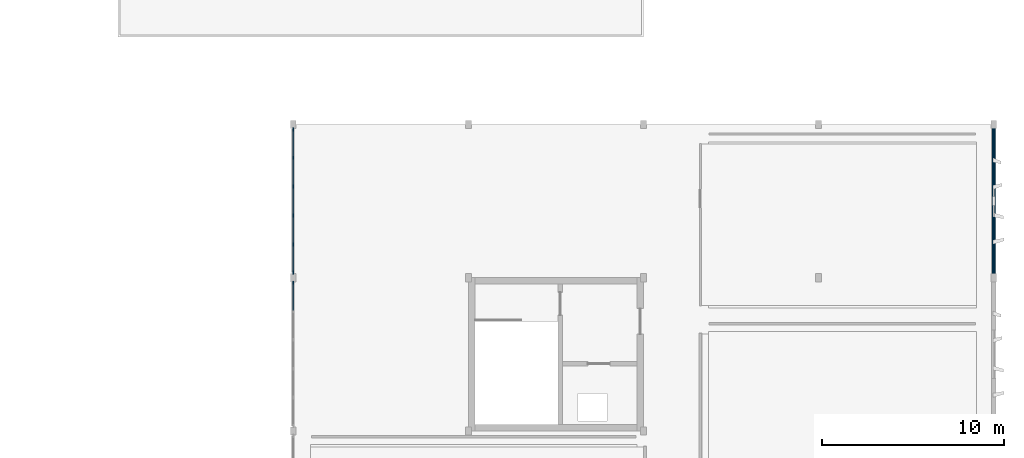
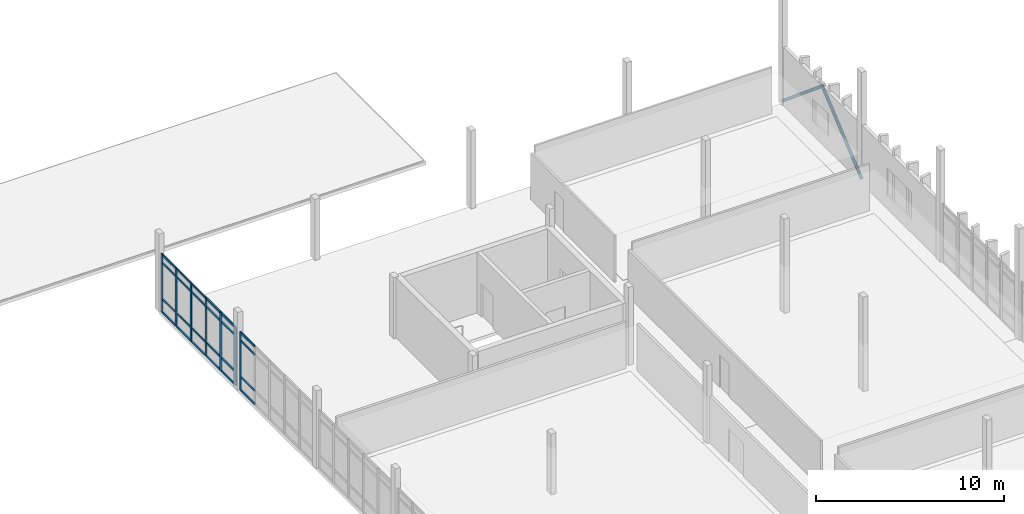
# One storey, part 28 of 61: 33 members, 2 elements without a shape of their own.
"""IFC4 building model written with IfcOpenShell, lengths in metres."""

from ifc_helpers import new_model, si_unit, direction, frame, origin, origin_2d, place, context, subcontext, project, spatial, rectangle, hollow_circle, extrude, material, layer, layer_set, material_profile, profile_set, type_object, element, aggregate, save


model = new_model("IFC4")

# Units and contexts
model_context = context("Model", 3, precision=1e-05, world=origin(), true_north=direction((0.0, 1.0)))
body_context = subcontext(model_context, "Body", "Model", "MODEL_VIEW")
ifc_project = project(units=[si_unit("LENGTHUNIT", "METRE"), si_unit("AREAUNIT", "SQUARE_METRE"), si_unit("VOLUMEUNIT", "CUBIC_METRE"), si_unit("PLANEANGLEUNIT", "RADIAN"), si_unit("MASSUNIT", "GRAM", prefix="KILO")], contexts=[model_context])

# Site, building, storey
site_placement = place(None, origin())
site = spatial("IfcSite", under=ifc_project, at=site_placement, CompositionType="ELEMENT")
building_placement = place(site_placement, origin())
building = spatial("IfcBuilding", under=site, at=building_placement, Name="Kolvemor Railside Polytechnic", CompositionType="ELEMENT")
storey_placement = place(building_placement, frame((0.0, 0.0, 10.199951171875)))
storey = spatial("IfcBuildingStorey", under=building, at=storey_placement, Name="L02", CompositionType="ELEMENT", Elevation=10.199951171875)

# Curtain wall, member
ifc_material_1 = material(Name="Anodised marine aluminium and laminated low-E glass", Category="aluminium")
ifc_layer = layer(ifc_material_1, 0.179931640625, Name="CW-UNIT-STD")
ifc_layer_set = layer_set([ifc_layer], Name="Anodised marine aluminium and laminated low-E glass")
curtain_wall_type = type_object("IfcCurtainWallType", Name="CW-UNIT-STD", PredefinedType="USERDEFINED", material=ifc_layer_set)
curtain_wall_1_placement = place(storey_placement, origin())
curtain_wall_1 = element("IfcCurtainWall", 1, at=curtain_wall_1_placement, inside=storey, type_object=curtain_wall_type, Name="Curtain Wall L02-081", ObjectType="UNITISED CURTAIN WALL", PredefinedType="USERDEFINED")
ifc_material_2 = material(Name="Anodised marine aluminium 6063-T6", Category="aluminium")
ifc_material_profile_1 = material_profile(ifc_material_2, rectangle(XDim=0.074951171875, YDim=0.179931640625, at=origin_2d()), Name="CW-MUL-75x180")
ifc_profile_set_1 = profile_set([ifc_material_profile_1], Name="Anodised marine aluminium 6063-T6")
member_type_1 = type_object("IfcMemberType", Name="CWM-75x180", PredefinedType="MULLION", material=ifc_profile_set_1)
member_1_placement = place(storey_placement, frame((144.0, 68.12255859375, 0.0), z_axis=(0.0, 0.0, 1.0), x_axis=(1.0, 0.0, 0.0)))
member_1 = element("IfcMember", 2, at=member_1_placement, type_object=member_type_1, Name="CW-STD mullion 1", PredefinedType="MULLION", context=body_context, shape_type="SweptSolid", body=[
    extrude(rectangle(XDim=0.074951171875, YDim=0.179931640625, at=origin_2d()), origin(), (0.0, 0.0, 1.0), 3.800048828125),
])

# Curtain wall, members
curtain_wall_2_placement = place(storey_placement, origin())
curtain_wall_2 = element("IfcCurtainWall", 3, at=curtain_wall_2_placement, inside=storey, type_object=curtain_wall_type, Name="Curtain Wall L02-088", ObjectType="UNITISED CURTAIN WALL", PredefinedType="USERDEFINED")
member_2_placement = place(storey_placement, frame((144.0, 76.5224609375, 0.0), z_axis=(0.0, 0.0, 1.0), x_axis=(1.0, 0.0, 0.0)))
member_2 = element("IfcMember", 4, at=member_2_placement, type_object=member_type_1, Name="CW-STD mullion 1", PredefinedType="MULLION", context=body_context, shape_type="SweptSolid", body=[
    extrude(rectangle(XDim=0.074951171875, YDim=0.179931640625, at=origin_2d()), origin(), (0.0, 0.0, 1.0), 3.800048828125),
])
member_3_placement = place(storey_placement, frame((144.0, 74.97607421875, 0.0), z_axis=(0.0, 0.0, 1.0), x_axis=(1.0, 0.0, 0.0)))
member_3 = element("IfcMember", 5, at=member_3_placement, type_object=member_type_1, Name="CW-STD mullion 2", PredefinedType="MULLION", context=body_context, shape_type="SweptSolid", body=[
    extrude(rectangle(XDim=0.074951171875, YDim=0.179931640625, at=origin_2d()), origin(), (0.0, 0.0, 1.0), 3.800048828125),
])
member_4_placement = place(storey_placement, frame((144.0, 73.39208984375, 0.0), z_axis=(0.0, 0.0, 1.0), x_axis=(1.0, 0.0, 0.0)))
member_4 = element("IfcMember", 6, at=member_4_placement, type_object=member_type_1, Name="CW-STD mullion 3", PredefinedType="MULLION", context=body_context, shape_type="SweptSolid", body=[
    extrude(rectangle(XDim=0.074951171875, YDim=0.179931640625, at=origin_2d()), origin(), (0.0, 0.0, 1.0), 3.800048828125),
])
member_5_placement = place(storey_placement, frame((144.0, 71.80810546875, 0.0), z_axis=(0.0, 0.0, 1.0), x_axis=(1.0, 0.0, 0.0)))
member_5 = element("IfcMember", 7, at=member_5_placement, type_object=member_type_1, Name="CW-STD mullion 4", PredefinedType="MULLION", context=body_context, shape_type="SweptSolid", body=[
    extrude(rectangle(XDim=0.074951171875, YDim=0.179931640625, at=origin_2d()), origin(), (0.0, 0.0, 1.0), 3.800048828125),
])
member_6_placement = place(storey_placement, frame((144.0, 70.22412109375, 0.0), z_axis=(0.0, 0.0, 1.0), x_axis=(1.0, 0.0, 0.0)))
member_6 = element("IfcMember", 8, at=member_6_placement, type_object=member_type_1, Name="CW-STD mullion 5", PredefinedType="MULLION", context=body_context, shape_type="SweptSolid", body=[
    extrude(rectangle(XDim=0.074951171875, YDim=0.179931640625, at=origin_2d()), origin(), (0.0, 0.0, 1.0), 3.800048828125),
])
member_7_placement = place(storey_placement, frame((144.0, 68.677490234375, 0.0), z_axis=(0.0, 0.0, 1.0), x_axis=(1.0, 0.0, 0.0)))
member_7 = element("IfcMember", 9, at=member_7_placement, type_object=member_type_1, Name="CW-STD mullion 6", PredefinedType="MULLION", context=body_context, shape_type="SweptSolid", body=[
    extrude(rectangle(XDim=0.074951171875, YDim=0.179931640625, at=origin_2d()), origin(), (0.0, 0.0, 1.0), 3.800048828125),
])

# Member
ifc_material_3 = material(Name="Anodised marine aluminium 6063-T6", Category="aluminium")
ifc_material_profile_2 = material_profile(ifc_material_3, rectangle(XDim=0.074951171875, YDim=0.139892578125, at=origin_2d()), Name="CW-TRN-75x140")
ifc_profile_set_2 = profile_set([ifc_material_profile_2], Name="Anodised marine aluminium 6063-T6")
member_type_2 = type_object("IfcMemberType", Name="CWT-75x140", PredefinedType="USERDEFINED", material=ifc_profile_set_2)
member_8_placement = place(storey_placement, frame((144.0, 68.0849609375, 0.03759765625), z_axis=(0.0, -1.0, 0.0), x_axis=(1.0, 0.0, 0.0)))
member_8 = element("IfcMember", 10, at=member_8_placement, type_object=member_type_2, Name="CW-STD transom 1.1", ObjectType="TRANSOM", PredefinedType="USERDEFINED", context=body_context, shape_type="SweptSolid", body=[
    extrude(rectangle(XDim=0.074951171875, YDim=0.139892578125, at=origin_2d()), origin(), (0.0, 0.0, 1.0), 1.471435546875),
])

member_9_placement = place(storey_placement, frame((144.0, 68.0849609375, 0.900146484375), z_axis=(0.0, -1.0, 0.0), x_axis=(1.0, 0.0, 0.0)))
member_9 = element("IfcMember", 11, at=member_9_placement, type_object=member_type_2, Name="CW-STD transom 1.2", ObjectType="TRANSOM", PredefinedType="USERDEFINED", context=body_context, shape_type="SweptSolid", body=[
    extrude(rectangle(XDim=0.074951171875, YDim=0.139892578125, at=origin_2d()), origin(), (0.0, 0.0, 1.0), 1.471435546875),
])

member_10_placement = place(storey_placement, frame((144.0, 68.0849609375, 3.25), z_axis=(0.0, -1.0, 0.0), x_axis=(1.0, 0.0, 0.0)))
member_10 = element("IfcMember", 12, at=member_10_placement, type_object=member_type_2, Name="CW-STD transom 1.3", ObjectType="TRANSOM", PredefinedType="USERDEFINED", context=body_context, shape_type="SweptSolid", body=[
    extrude(rectangle(XDim=0.074951171875, YDim=0.139892578125, at=origin_2d()), origin(), (0.0, 0.0, 1.0), 1.471435546875),
])

member_11_placement = place(storey_placement, frame((144.0, 68.0849609375, 3.762451171875), z_axis=(0.0, -1.0, 0.0), x_axis=(1.0, 0.0, 0.0)))
member_11 = element("IfcMember", 13, at=member_11_placement, type_object=member_type_2, Name="CW-STD transom 1.4", ObjectType="TRANSOM", PredefinedType="USERDEFINED", context=body_context, shape_type="SweptSolid", body=[
    extrude(rectangle(XDim=0.074951171875, YDim=0.139892578125, at=origin_2d()), origin(), (0.0, 0.0, 1.0), 1.471435546875),
])

aggregate(curtain_wall_1, [member_1, member_8, member_9, member_10, member_11])

member_12_placement = place(storey_placement, frame((144.0, 76.485107421875, 0.03759765625), z_axis=(0.0, -1.0, 0.0), x_axis=(1.0, 0.0, 0.0)))
member_12 = element("IfcMember", 14, at=member_12_placement, type_object=member_type_2, Name="CW-STD transom 1.1", ObjectType="TRANSOM", PredefinedType="USERDEFINED", context=body_context, shape_type="SweptSolid", body=[
    extrude(rectangle(XDim=0.074951171875, YDim=0.139892578125, at=origin_2d()), origin(), (0.0, 0.0, 1.0), 1.4716796875),
])

member_13_placement = place(storey_placement, frame((144.0, 76.485107421875, 0.900146484375), z_axis=(0.0, -1.0, 0.0), x_axis=(1.0, 0.0, 0.0)))
member_13 = element("IfcMember", 15, at=member_13_placement, type_object=member_type_2, Name="CW-STD transom 1.2", ObjectType="TRANSOM", PredefinedType="USERDEFINED", context=body_context, shape_type="SweptSolid", body=[
    extrude(rectangle(XDim=0.074951171875, YDim=0.139892578125, at=origin_2d()), origin(), (0.0, 0.0, 1.0), 1.4716796875),
])

member_14_placement = place(storey_placement, frame((144.0, 76.485107421875, 3.25), z_axis=(0.0, -1.0, 0.0), x_axis=(1.0, 0.0, 0.0)))
member_14 = element("IfcMember", 16, at=member_14_placement, type_object=member_type_2, Name="CW-STD transom 1.3", ObjectType="TRANSOM", PredefinedType="USERDEFINED", context=body_context, shape_type="SweptSolid", body=[
    extrude(rectangle(XDim=0.074951171875, YDim=0.139892578125, at=origin_2d()), origin(), (0.0, 0.0, 1.0), 1.4716796875),
])

member_15_placement = place(storey_placement, frame((144.0, 76.485107421875, 3.762451171875), z_axis=(0.0, -1.0, 0.0), x_axis=(1.0, 0.0, 0.0)))
member_15 = element("IfcMember", 17, at=member_15_placement, type_object=member_type_2, Name="CW-STD transom 1.4", ObjectType="TRANSOM", PredefinedType="USERDEFINED", context=body_context, shape_type="SweptSolid", body=[
    extrude(rectangle(XDim=0.074951171875, YDim=0.139892578125, at=origin_2d()), origin(), (0.0, 0.0, 1.0), 1.4716796875),
])

member_16_placement = place(storey_placement, frame((144.0, 74.9384765625, 0.03759765625), z_axis=(0.0, -1.0, 0.0), x_axis=(1.0, 0.0, 0.0)))
member_16 = element("IfcMember", 18, at=member_16_placement, type_object=member_type_2, Name="CW-STD transom 2.1", ObjectType="TRANSOM", PredefinedType="USERDEFINED", context=body_context, shape_type="SweptSolid", body=[
    extrude(rectangle(XDim=0.074951171875, YDim=0.139892578125, at=origin_2d()), origin(), (0.0, 0.0, 1.0), 1.509033203125),
])

member_17_placement = place(storey_placement, frame((144.0, 74.9384765625, 0.900146484375), z_axis=(0.0, -1.0, 0.0), x_axis=(1.0, 0.0, 0.0)))
member_17 = element("IfcMember", 19, at=member_17_placement, type_object=member_type_2, Name="CW-STD transom 2.2", ObjectType="TRANSOM", PredefinedType="USERDEFINED", context=body_context, shape_type="SweptSolid", body=[
    extrude(rectangle(XDim=0.074951171875, YDim=0.139892578125, at=origin_2d()), origin(), (0.0, 0.0, 1.0), 1.509033203125),
])

member_18_placement = place(storey_placement, frame((144.0, 74.9384765625, 3.25), z_axis=(0.0, -1.0, 0.0), x_axis=(1.0, 0.0, 0.0)))
member_18 = element("IfcMember", 20, at=member_18_placement, type_object=member_type_2, Name="CW-STD transom 2.3", ObjectType="TRANSOM", PredefinedType="USERDEFINED", context=body_context, shape_type="SweptSolid", body=[
    extrude(rectangle(XDim=0.074951171875, YDim=0.139892578125, at=origin_2d()), origin(), (0.0, 0.0, 1.0), 1.509033203125),
])

member_19_placement = place(storey_placement, frame((144.0, 74.9384765625, 3.762451171875), z_axis=(0.0, -1.0, 0.0), x_axis=(1.0, 0.0, 0.0)))
member_19 = element("IfcMember", 21, at=member_19_placement, type_object=member_type_2, Name="CW-STD transom 2.4", ObjectType="TRANSOM", PredefinedType="USERDEFINED", context=body_context, shape_type="SweptSolid", body=[
    extrude(rectangle(XDim=0.074951171875, YDim=0.139892578125, at=origin_2d()), origin(), (0.0, 0.0, 1.0), 1.509033203125),
])

member_20_placement = place(storey_placement, frame((144.0, 73.3544921875, 0.03759765625), z_axis=(0.0, -1.0, 0.0), x_axis=(1.0, 0.0, 0.0)))
member_20 = element("IfcMember", 22, at=member_20_placement, type_object=member_type_2, Name="CW-STD transom 3.1", ObjectType="TRANSOM", PredefinedType="USERDEFINED", context=body_context, shape_type="SweptSolid", body=[
    extrude(rectangle(XDim=0.074951171875, YDim=0.139892578125, at=origin_2d()), origin(), (0.0, 0.0, 1.0), 1.509033203125),
])

member_21_placement = place(storey_placement, frame((144.0, 73.3544921875, 0.900146484375), z_axis=(0.0, -1.0, 0.0), x_axis=(1.0, 0.0, 0.0)))
member_21 = element("IfcMember", 23, at=member_21_placement, type_object=member_type_2, Name="CW-STD transom 3.2", ObjectType="TRANSOM", PredefinedType="USERDEFINED", context=body_context, shape_type="SweptSolid", body=[
    extrude(rectangle(XDim=0.074951171875, YDim=0.139892578125, at=origin_2d()), origin(), (0.0, 0.0, 1.0), 1.509033203125),
])

member_22_placement = place(storey_placement, frame((144.0, 73.3544921875, 3.25), z_axis=(0.0, -1.0, 0.0), x_axis=(1.0, 0.0, 0.0)))
member_22 = element("IfcMember", 24, at=member_22_placement, type_object=member_type_2, Name="CW-STD transom 3.3", ObjectType="TRANSOM", PredefinedType="USERDEFINED", context=body_context, shape_type="SweptSolid", body=[
    extrude(rectangle(XDim=0.074951171875, YDim=0.139892578125, at=origin_2d()), origin(), (0.0, 0.0, 1.0), 1.509033203125),
])

member_23_placement = place(storey_placement, frame((144.0, 73.3544921875, 3.762451171875), z_axis=(0.0, -1.0, 0.0), x_axis=(1.0, 0.0, 0.0)))
member_23 = element("IfcMember", 25, at=member_23_placement, type_object=member_type_2, Name="CW-STD transom 3.4", ObjectType="TRANSOM", PredefinedType="USERDEFINED", context=body_context, shape_type="SweptSolid", body=[
    extrude(rectangle(XDim=0.074951171875, YDim=0.139892578125, at=origin_2d()), origin(), (0.0, 0.0, 1.0), 1.509033203125),
])

member_24_placement = place(storey_placement, frame((144.0, 71.7705078125, 0.03759765625), z_axis=(0.0, -1.0, 0.0), x_axis=(1.0, 0.0, 0.0)))
member_24 = element("IfcMember", 26, at=member_24_placement, type_object=member_type_2, Name="CW-STD transom 4.1", ObjectType="TRANSOM", PredefinedType="USERDEFINED", context=body_context, shape_type="SweptSolid", body=[
    extrude(rectangle(XDim=0.074951171875, YDim=0.139892578125, at=origin_2d()), origin(), (0.0, 0.0, 1.0), 1.509033203125),
])

member_25_placement = place(storey_placement, frame((144.0, 71.7705078125, 0.900146484375), z_axis=(0.0, -1.0, 0.0), x_axis=(1.0, 0.0, 0.0)))
member_25 = element("IfcMember", 27, at=member_25_placement, type_object=member_type_2, Name="CW-STD transom 4.2", ObjectType="TRANSOM", PredefinedType="USERDEFINED", context=body_context, shape_type="SweptSolid", body=[
    extrude(rectangle(XDim=0.074951171875, YDim=0.139892578125, at=origin_2d()), origin(), (0.0, 0.0, 1.0), 1.509033203125),
])

member_26_placement = place(storey_placement, frame((144.0, 71.7705078125, 3.25), z_axis=(0.0, -1.0, 0.0), x_axis=(1.0, 0.0, 0.0)))
member_26 = element("IfcMember", 28, at=member_26_placement, type_object=member_type_2, Name="CW-STD transom 4.3", ObjectType="TRANSOM", PredefinedType="USERDEFINED", context=body_context, shape_type="SweptSolid", body=[
    extrude(rectangle(XDim=0.074951171875, YDim=0.139892578125, at=origin_2d()), origin(), (0.0, 0.0, 1.0), 1.509033203125),
])

member_27_placement = place(storey_placement, frame((144.0, 71.7705078125, 3.762451171875), z_axis=(0.0, -1.0, 0.0), x_axis=(1.0, 0.0, 0.0)))
member_27 = element("IfcMember", 29, at=member_27_placement, type_object=member_type_2, Name="CW-STD transom 4.4", ObjectType="TRANSOM", PredefinedType="USERDEFINED", context=body_context, shape_type="SweptSolid", body=[
    extrude(rectangle(XDim=0.074951171875, YDim=0.139892578125, at=origin_2d()), origin(), (0.0, 0.0, 1.0), 1.509033203125),
])

member_28_placement = place(storey_placement, frame((144.0, 70.1865234375, 0.03759765625), z_axis=(0.0, -1.0, 0.0), x_axis=(1.0, 0.0, 0.0)))
member_28 = element("IfcMember", 30, at=member_28_placement, type_object=member_type_2, Name="CW-STD transom 5.1", ObjectType="TRANSOM", PredefinedType="USERDEFINED", context=body_context, shape_type="SweptSolid", body=[
    extrude(rectangle(XDim=0.074951171875, YDim=0.139892578125, at=origin_2d()), origin(), (0.0, 0.0, 1.0), 1.471435546875),
])

member_29_placement = place(storey_placement, frame((144.0, 70.1865234375, 0.900146484375), z_axis=(0.0, -1.0, 0.0), x_axis=(1.0, 0.0, 0.0)))
member_29 = element("IfcMember", 31, at=member_29_placement, type_object=member_type_2, Name="CW-STD transom 5.2", ObjectType="TRANSOM", PredefinedType="USERDEFINED", context=body_context, shape_type="SweptSolid", body=[
    extrude(rectangle(XDim=0.074951171875, YDim=0.139892578125, at=origin_2d()), origin(), (0.0, 0.0, 1.0), 1.471435546875),
])

member_30_placement = place(storey_placement, frame((144.0, 70.1865234375, 3.25), z_axis=(0.0, -1.0, 0.0), x_axis=(1.0, 0.0, 0.0)))
member_30 = element("IfcMember", 32, at=member_30_placement, type_object=member_type_2, Name="CW-STD transom 5.3", ObjectType="TRANSOM", PredefinedType="USERDEFINED", context=body_context, shape_type="SweptSolid", body=[
    extrude(rectangle(XDim=0.074951171875, YDim=0.139892578125, at=origin_2d()), origin(), (0.0, 0.0, 1.0), 1.471435546875),
])

member_31_placement = place(storey_placement, frame((144.0, 70.1865234375, 3.762451171875), z_axis=(0.0, -1.0, 0.0), x_axis=(1.0, 0.0, 0.0)))
member_31 = element("IfcMember", 33, at=member_31_placement, type_object=member_type_2, Name="CW-STD transom 5.4", ObjectType="TRANSOM", PredefinedType="USERDEFINED", context=body_context, shape_type="SweptSolid", body=[
    extrude(rectangle(XDim=0.074951171875, YDim=0.139892578125, at=origin_2d()), origin(), (0.0, 0.0, 1.0), 1.471435546875),
])

aggregate(curtain_wall_2, [member_2, member_3, member_4, member_5, member_6, member_7, member_12, member_13, member_14, member_15, member_16, member_17, member_18, member_19, member_20, member_21, member_22, member_23, member_24, member_25, member_26, member_27, member_28, member_29, member_30, member_31])

# Members
ifc_material_4 = material(Name="Steel S355", Category="steel")
ifc_material_profile_3 = material_profile(ifc_material_4, hollow_circle(Radius=0.096923828125, WallThickness=0.010009765625, at=origin_2d()), Name="CHS193.7x10")
ifc_profile_set_3 = profile_set([ifc_material_profile_3], Name="Steel S355")
member_type_3 = type_object("IfcMemberType", Name="MEM-BR-CHS2", PredefinedType="BRACE", material=ifc_profile_set_3)
member_32_placement = place(storey_placement, frame((182.39990234375, 68.39990234375, 0.150146484375), z_axis=(0.0, 0.768235920214, 0.640166830516), x_axis=(-1.0, 0.0, 0.0)))
element("IfcMember", 34, at=member_32_placement, inside=storey, type_object=member_type_3, Name="Wind Chevron Brace BR-27A", PredefinedType="BRACE", context=body_context, shape_type="SweptSolid", body=[
    extrude(hollow_circle(Radius=0.096923828125, WallThickness=0.010009765625, at=origin_2d()), origin(), (0.0, 0.0, 1.0), 5.46728515625),
])
member_33_placement = place(storey_placement, frame((182.39990234375, 76.800048828125, 0.150146484375), z_axis=(0.0, -0.768217619255, 0.64018879205), x_axis=(1.0, 0.0, 0.0)))
element("IfcMember", 35, at=member_33_placement, inside=storey, type_object=member_type_3, Name="Wind Chevron Brace BR-27B", PredefinedType="BRACE", context=body_context, shape_type="SweptSolid", body=[
    extrude(hollow_circle(Radius=0.096923828125, WallThickness=0.010009765625, at=origin_2d()), origin(), (0.0, 0.0, 1.0), 5.467041015625),
])

save(model, "model.ifc")
